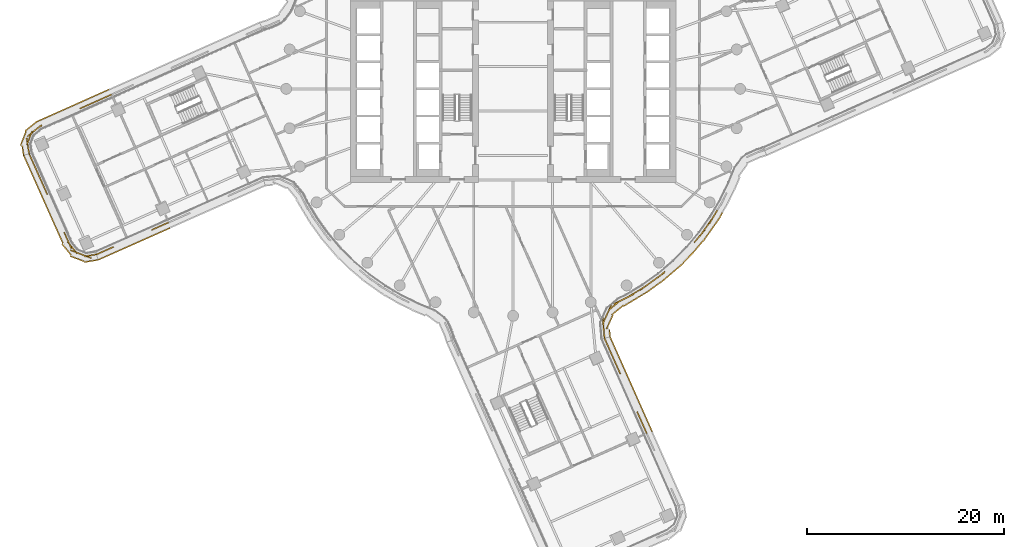
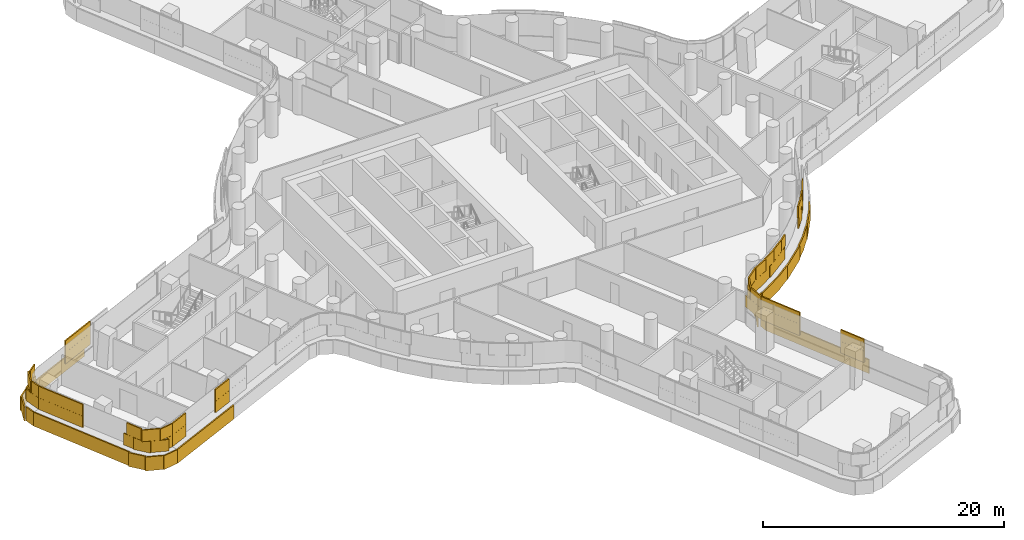
# One storey, part 29 of 35: 5 coverings.
"""IFC4 building model written with IfcOpenShell, lengths in metres."""

import ifcopenshell
import ifcopenshell.guid

model = None  # the IFC model being written
_history = None  # IfcOwnerHistory: only IFC2X3 demands one
_inside = {}  # id of a spatial element -> (the spatial element, [elements in it])
_under = {}  # id of a project, library or spatial element -> (it, [spatial elements below it])
_declared = {}  # id of a project -> (the project, [libraries it declares])
_typed = {}  # id of a type object -> (the type object, [elements of that type])
_made_of = {}  # id of a material, layer set ... -> (it, [elements and type objects made of it])


def new_model(schema):
    """Start an empty IFC model of exactly this schema.

    Asked for "IFC4X3", IfcOpenShell would pick the latest addendum, in which some entities
    have other attributes; the version numbers below select the first issue.
    IFC2X3 requires an IfcOwnerHistory on every rooted entity: one is made here for all.
    """
    global model, _history
    if schema == "IFC4X3":
        model = ifcopenshell.file(schema_version=(4, 3, 0, 0))
    else:
        model = ifcopenshell.file(schema=schema)
    _inside.clear()
    _under.clear()
    _declared.clear()
    _typed.clear()
    _made_of.clear()
    _history = None
    if model.schema == "IFC2X3":
        org = make("IfcOrganization", Name="unknown")
        user = make(
            "IfcPersonAndOrganization",
            ThePerson=make("IfcPerson", FamilyName="unknown"),
            TheOrganization=org,
        )
        app = make(
            "IfcApplication",
            ApplicationDeveloper=org,
            Version="unknown",
            ApplicationFullName="unknown",
            ApplicationIdentifier="unknown",
        )
        _history = make(
            "IfcOwnerHistory",
            OwningUser=user,
            OwningApplication=app,
            ChangeAction="ADDED",
            CreationDate=0,
        )
    return model


def make(cls, **values):
    """One entity of the class cls with the attributes given. An attribute that is None is left unset."""
    return model.create_entity(
        cls, **{name: value for name, value in values.items() if value is not None}
    )


def rooted(cls, **values):
    """An entity with a GlobalId (a new one), such as an element, a storey or a relation."""
    return make(cls, GlobalId=ifcopenshell.guid.new(), OwnerHistory=_history, **values)


def si_unit(unit_type, name, prefix=None):
    """IfcSIUnit, for example si_unit("LENGTHUNIT", "METRE", prefix="MILLI")."""
    return make("IfcSIUnit", UnitType=unit_type, Prefix=prefix, Name=name)


def assignment(units):
    """IfcUnitAssignment: the units of a project."""
    return None if units is None else make("IfcUnitAssignment", Units=units)


def point(xyz):
    """IfcCartesianPoint."""
    return None if xyz is None else make("IfcCartesianPoint", Coordinates=xyz)


def direction(xyz):
    """IfcDirection."""
    return None if xyz is None else make("IfcDirection", DirectionRatios=xyz)


def frame(location, z_axis=None, x_axis=None):
    """IfcAxis2Placement3D, a coordinate frame: its origin and axes. An axis left out is left unset."""
    return make(
        "IfcAxis2Placement3D",
        Location=point(location),
        Axis=direction(z_axis),
        RefDirection=direction(x_axis),
    )


def frame_2d(location, x_axis=None):
    """IfcAxis2Placement2D, a coordinate frame in the plane: its origin and x axis."""
    return make(
        "IfcAxis2Placement2D", Location=point(location), RefDirection=direction(x_axis)
    )


def origin():
    """The frame at (0, 0, 0) with its axes left unset."""
    return frame((0.0, 0.0, 0.0))


def origin_2d():
    """The frame at (0, 0) in the plane with its x axis left unset."""
    return frame_2d((0.0, 0.0))


def place(relative_to, where):
    """IfcLocalPlacement: puts the frame where relative to a parent placement (None: the world)."""
    return make(
        "IfcLocalPlacement", PlacementRelTo=relative_to, RelativePlacement=where
    )


def context(
    kind, dimensions, precision=None, world=None, true_north=None, identifier=None
):
    """IfcGeometricRepresentationContext, for example the 3D "Model" context."""
    return make(
        "IfcGeometricRepresentationContext",
        ContextIdentifier=identifier,
        ContextType=kind,
        CoordinateSpaceDimension=dimensions,
        Precision=precision,
        WorldCoordinateSystem=world,
        TrueNorth=true_north,
    )


def subcontext(parent, identifier, kind, view, scale=None):
    """IfcGeometricRepresentationSubContext, for example "Body" below "Model"."""
    return make(
        "IfcGeometricRepresentationSubContext",
        ContextIdentifier=identifier,
        ContextType=kind,
        ParentContext=parent,
        TargetScale=scale,
        TargetView=view,
    )


def project(units=None, contexts=None):
    """IfcProject with its units and contexts."""
    return rooted(
        "IfcProject",
        Name="project",
        RepresentationContexts=contexts,
        UnitsInContext=assignment(units),
    )


def spatial(cls, under=None, at=None, **own):
    """A site, building, storey or space (cls), placed at a placement, below another one or the project."""
    s = rooted(cls, ObjectPlacement=at, **own)
    if under is not None:
        _under.setdefault(under.id(), (under, []))[1].append(s)
    return s


def profile(cls, at=None, kind="AREA", **sizes):
    """A parametric profile (cls). Its sizes go by their IFC names, for example OverallWidth=200.0."""
    return make(cls, ProfileType=kind, Position=at, **sizes)


def rectangle(**sizes):
    """IfcRectangleProfileDef."""
    return profile("IfcRectangleProfileDef", **sizes)


def extrude(swept, where, along, depth):
    """IfcExtrudedAreaSolid: the profile swept, set in the frame where, extruded along a direction by depth."""
    return make(
        "IfcExtrudedAreaSolid",
        SweptArea=swept,
        Position=where,
        ExtrudedDirection=direction(along),
        Depth=depth,
    )


def shape(context_of_items, identifier, shape_type, items):
    """IfcShapeRepresentation: the items that make up one representation, for example the "Body"."""
    return make(
        "IfcShapeRepresentation",
        ContextOfItems=context_of_items,
        RepresentationIdentifier=identifier,
        RepresentationType=shape_type,
        Items=items,
    )


def material(Name=None, Category=None):
    """IfcMaterial."""
    return make("IfcMaterial", Name=Name, Category=Category)


def layer(
    of_material, thickness, ventilated=None, Name=None, Category=None, Priority=None
):
    """IfcMaterialLayer: one layer of a wall or slab, of a material (None: an air gap)."""
    return make(
        "IfcMaterialLayer",
        Material=of_material,
        LayerThickness=thickness,
        IsVentilated=ventilated,
        Name=Name,
        Category=Category,
        Priority=Priority,
    )


def layer_set(layers, Name=None):
    """IfcMaterialLayerSet."""
    return make("IfcMaterialLayerSet", MaterialLayers=layers, LayerSetName=Name)


def made_of(thing, what):
    """Note that an element or type object is made of a material, layer set ...; save() writes the relation."""
    if what is not None:
        _made_of.setdefault(what.id(), (what, []))[1].append(thing)
    return thing


def type_object(cls, material=None, **own):
    """A type object (cls), such as IfcWallType, which elements share."""
    return made_of(rooted(cls, **own), material)


def element(
    cls,
    number,
    at=None,
    inside=None,
    cuts=None,
    type_object=None,
    material=None,
    context=None,
    identifier="Body",
    shape_type=None,
    held_by="IfcProductDefinitionShape",
    body=None,
    shapes=None,
    **own,
):
    """One element of the class cls, such as IfcWall. Its Tag is "e" and its number.

    at: its placement. inside: the storey or other place that contains it. cuts: it is an
    opening in that element (IfcRelVoidsElement). A single representation is given by context,
    identifier, shape_type and body (its items); several are given by shapes. held_by: the class
    of the entity that holds the representations. save() writes the other relations.
    """
    e = rooted(cls, Tag="e%d" % number, ObjectPlacement=at, **own)
    if body is not None:
        shapes = [shape(context, identifier, shape_type, body)]
    if shapes is not None:
        e.Representation = make(held_by, Representations=shapes)
    if inside is not None:
        _inside.setdefault(inside.id(), (inside, []))[1].append(e)
    if cuts is not None:
        rooted(
            "IfcRelVoidsElement", RelatingBuildingElement=cuts, RelatedOpeningElement=e
        )
    if type_object is not None:
        _typed.setdefault(type_object.id(), (type_object, []))[1].append(e)
    return made_of(e, material)


def aggregate(whole, parts):
    """IfcRelAggregates: a whole, such as a stair, and the parts it consists of."""
    return rooted("IfcRelAggregates", RelatingObject=whole, RelatedObjects=parts)


def save(model, path):
    """Write the relations noted so far, then the file.

    IfcRelAggregates (storeys below a building ...), IfcRelContainedInSpatialStructure (elements
    in a storey), IfcRelDefinesByType, IfcRelAssociatesMaterial and IfcRelDeclares: one each for
    every whole, place, type object, material and project.
    """
    for whole, parts in _under.values():
        aggregate(whole, parts)
    for where, things in _inside.values():
        rooted(
            "IfcRelContainedInSpatialStructure",
            RelatedElements=things,
            RelatingStructure=where,
        )
    for kind, things in _typed.values():
        rooted("IfcRelDefinesByType", RelatedObjects=things, RelatingType=kind)
    for what, things in _made_of.values():
        rooted("IfcRelAssociatesMaterial", RelatedObjects=things, RelatingMaterial=what)
    for by, libraries in _declared.values():
        rooted("IfcRelDeclares", RelatingContext=by, RelatedDefinitions=libraries)
    model.write(path)


model = new_model("IFC4")

# Units and contexts
model_context = context("Model", 3, precision=1e-05, world=origin(), true_north=direction((0.0, 1.0)))
body_context = subcontext(model_context, "Body", "Model", "MODEL_VIEW")
ifc_project = project(units=[si_unit("LENGTHUNIT", "METRE"), si_unit("AREAUNIT", "SQUARE_METRE"), si_unit("VOLUMEUNIT", "CUBIC_METRE"), si_unit("PLANEANGLEUNIT", "RADIAN"), si_unit("MASSUNIT", "GRAM", prefix="KILO")], contexts=[model_context])

# Site, building, storey
site_placement = place(None, origin())
site = spatial("IfcSite", under=ifc_project, at=site_placement, CompositionType="ELEMENT")
building_placement = place(site_placement, origin())
building = spatial("IfcBuilding", under=site, at=building_placement, Name="Tamarind Cross Interchange Tower", CompositionType="ELEMENT")
storey_placement = place(building_placement, frame((0.0, 0.0, 121.0)))
storey = spatial("IfcBuildingStorey", under=building, at=storey_placement, Name="L29", CompositionType="ELEMENT", Elevation=121.0)

# Coverings
ifc_material = material(Name="Terracotta", Category="masonry")
ifc_layer = layer(ifc_material, 0.1201171875)
ifc_layer_set = layer_set([ifc_layer], Name="Terracotta")
covering_type = type_object("IfcCoveringType", Name="Terracotta baguette screen unit", PredefinedType="MOLDING", material=ifc_layer_set)
covering_1_placement = place(storey_placement, origin())
element("IfcCovering", 1, at=covering_1_placement, inside=storey, type_object=covering_type, Name="SCR-L29-00-00", PredefinedType="MOLDING", context=body_context, shape_type="SweptSolid", body=[
    extrude(rectangle(XDim=0.760009765625, YDim=0.1201171875, at=origin_2d()), frame((-48.896484375, -6.915283203125, 1.404052734375), z_axis=(0.0, 0.0, 1.0), x_axis=(0.407221294835, -0.913329522698, 0.0)), (0.0, 0.0, 1.0), 1.1669921875),
    extrude(rectangle(XDim=1.52001953125, YDim=0.1201171875, at=origin_2d()), frame((-48.4384765625, -7.94287109375, 1.404052734375), z_axis=(0.0, 0.0, 1.0), x_axis=(0.407221294835, -0.913329522698, 0.0)), (0.0, 0.0, 1.0), 1.1669921875),
    extrude(rectangle(XDim=1.52001953125, YDim=0.1201171875, at=origin_2d()), frame((-47.82763671875, -9.312744140625, 1.404052734375), z_axis=(0.0, 0.0, 1.0), x_axis=(0.407221294835, -0.913329522698, 0.0)), (0.0, 0.0, 1.0), 1.1669921875),
    extrude(rectangle(XDim=0.784912109375, YDim=0.1201171875, at=origin_2d()), frame((-47.364501953125, -10.3515625, 1.404052734375), z_axis=(0.0, 0.0, 1.0), x_axis=(0.407221294835, -0.913329522698, 0.0)), (0.0, 0.0, 1.0), 1.1669921875),
    extrude(rectangle(XDim=1.03515625, YDim=0.1201171875, at=origin_2d()), frame((-45.28759765625, -15.009765625, 1.404052734375), z_axis=(0.0, 0.0, 1.0), x_axis=(0.407221294835, -0.913329522698, 0.0)), (0.0, 0.0, 1.0), 1.1669921875),
    extrude(rectangle(XDim=1.52001953125, YDim=0.1201171875, at=origin_2d()), frame((-44.66748046875, -16.097900390625, 1.404052734375), z_axis=(0.0, 0.0, 1.0), x_axis=(0.629732640625, -0.776811947212, 0.0)), (0.0, 0.0, 1.0), 1.1669921875),
    extrude(rectangle(XDim=1.52001953125, YDim=0.1201171875, at=origin_2d()), frame((-43.44775390625, -16.8837890625, 1.404052734375), z_axis=(0.0, 0.0, 1.0), x_axis=(0.93377043798, -0.357872559936, 0.0)), (0.0, 0.0, 1.0), 1.1669921875),
    extrude(rectangle(XDim=0.509521484375, YDim=0.1201171875, at=origin_2d()), frame((-42.469970703125, -16.81884765625, 1.404052734375), z_axis=(0.0, 0.0, 1.0), x_axis=(0.987605200561, 0.156958490768, 0.0)), (0.0, 0.0, 1.0), 1.1669921875),
    extrude(rectangle(XDim=1.510009765625, YDim=0.1201171875, at=origin_2d()), frame((-48.743896484375, -7.2578125, 2.5791015625), z_axis=(0.0, 0.0, 1.0), x_axis=(0.407221294835, -0.913329522698, 0.0)), (0.0, 0.0, 1.0), 1.1669921875),
    extrude(rectangle(XDim=1.52001953125, YDim=0.1201171875, at=origin_2d()), frame((-48.133056640625, -8.6279296875, 2.5791015625), z_axis=(0.0, 0.0, 1.0), x_axis=(0.407221294835, -0.913329522698, 0.0)), (0.0, 0.0, 1.0), 1.1669921875),
    extrude(rectangle(XDim=1.52001953125, YDim=0.1201171875, at=origin_2d()), frame((-47.522216796875, -9.997802734375, 2.5791015625), z_axis=(0.0, 0.0, 1.0), x_axis=(0.407221294835, -0.913329522698, 0.0)), (0.0, 0.0, 1.0), 1.1669921875),
    extrude(rectangle(XDim=1.52001953125, YDim=0.1201171875, at=origin_2d()), frame((-45.078857421875, -15.477783203125, 2.5791015625), z_axis=(0.0, 0.0, 1.0), x_axis=(0.407221294835, -0.913329522698, 0.0)), (0.0, 0.0, 1.0), 1.1669921875),
    extrude(rectangle(XDim=1.52001953125, YDim=0.1201171875, at=origin_2d()), frame((-44.14794921875, -16.615478515625, 2.5791015625), z_axis=(0.0, 0.0, 1.0), x_axis=(0.93377043798, -0.357872559936, 0.0)), (0.0, 0.0, 1.0), 1.1669921875),
    extrude(rectangle(XDim=1.259521484375, YDim=0.1201171875, at=origin_2d()), frame((-42.84033203125, -16.877685546875, 2.5791015625), z_axis=(0.0, 0.0, 1.0), x_axis=(0.987605200561, 0.156958490768, 0.0)), (0.0, 0.0, 1.0), 1.1669921875),
    extrude(rectangle(XDim=0.760009765625, YDim=0.1201171875, at=origin_2d()), frame((-49.449462890625, -7.084716796875, 0.00390625), z_axis=(0.0, 0.0, 1.0), x_axis=(0.407221294835, -0.913329522698, 0.0)), (0.0, 0.0, 1.0), 1.39208984375),
    extrude(rectangle(XDim=1.52001953125, YDim=0.1201171875, at=origin_2d()), frame((-48.993408203125, -8.107666015625, 0.00390625), z_axis=(0.0, 0.0, 1.0), x_axis=(0.407221294835, -0.913329522698, 0.0)), (0.0, 0.0, 1.0), 1.39208984375),
    extrude(rectangle(XDim=1.52001953125, YDim=0.1201171875, at=origin_2d()), frame((-48.382568359375, -9.4775390625, 0.00390625), z_axis=(0.0, 0.0, 1.0), x_axis=(0.407221294835, -0.913329522698, 0.0)), (0.0, 0.0, 1.0), 1.39208984375),
    extrude(rectangle(XDim=1.52001953125, YDim=0.1201171875, at=origin_2d()), frame((-47.771728515625, -10.84765625, 0.00390625), z_axis=(0.0, 0.0, 1.0), x_axis=(0.407221294835, -0.913329522698, 0.0)), (0.0, 0.0, 1.0), 1.39208984375),
    extrude(rectangle(XDim=1.52001953125, YDim=0.1201171875, at=origin_2d()), frame((-47.160888671875, -12.217529296875, 0.00390625), z_axis=(0.0, 0.0, 1.0), x_axis=(0.407221294835, -0.913329522698, 0.0)), (0.0, 0.0, 1.0), 1.39208984375),
    extrude(rectangle(XDim=1.52001953125, YDim=0.1201171875, at=origin_2d()), frame((-46.550048828125, -13.587646484375, 0.00390625), z_axis=(0.0, 0.0, 1.0), x_axis=(0.407221294835, -0.913329522698, 0.0)), (0.0, 0.0, 1.0), 1.39208984375),
    extrude(rectangle(XDim=1.52001953125, YDim=0.1201171875, at=origin_2d()), frame((-45.939208984375, -14.95751953125, 0.00390625), z_axis=(0.0, 0.0, 1.0), x_axis=(0.407221294835, -0.913329522698, 0.0)), (0.0, 0.0, 1.0), 1.39208984375),
    extrude(rectangle(XDim=1.52001953125, YDim=0.1201171875, at=origin_2d()), frame((-45.256103515625, -16.283203125, 0.00390625), z_axis=(0.0, 0.0, 1.0), x_axis=(0.629732640625, -0.776811947212, 0.0)), (0.0, 0.0, 1.0), 1.39208984375),
    extrude(rectangle(XDim=1.52001953125, YDim=0.1201171875, at=origin_2d()), frame((-44.152099609375, -17.228515625, 0.00390625), z_axis=(0.0, 0.0, 1.0), x_axis=(0.93377043798, -0.357872559936, 0.0)), (0.0, 0.0, 1.0), 1.39208984375),
    extrude(rectangle(XDim=1.426513671875, YDim=0.1201171875, at=origin_2d()), frame((-42.763427734375, -17.446533203125, 0.00390625), z_axis=(0.0, 0.0, 1.0), x_axis=(0.987605200561, 0.156958490768, 0.0)), (0.0, 0.0, 1.0), 1.39208984375),
])
covering_2_placement = place(storey_placement, origin())
element("IfcCovering", 2, at=covering_2_placement, inside=storey, type_object=covering_type, Name="SCR-L29-01-00", PredefinedType="MOLDING", context=body_context, shape_type="SweptSolid", body=[
    extrude(rectangle(XDim=0.760009765625, YDim=0.1201171875, at=origin_2d()), frame((-41.88037109375, -16.62744140625, 1.404052734375), z_axis=(0.0, 0.0, 1.0), x_axis=(0.914040185221, 0.40562364305, 0.0)), (0.0, 0.0, 1.0), 1.1669921875),
    extrude(rectangle(XDim=1.155029296875, YDim=0.1201171875, at=origin_2d()), frame((-41.014404296875, -16.2431640625, 1.404052734375), z_axis=(0.0, 0.0, 1.0), x_axis=(0.914040185221, 0.40562364305, 0.0)), (0.0, 0.0, 1.0), 1.1669921875),
    extrude(rectangle(XDim=0.6650390625, YDim=0.1201171875, at=origin_2d()), frame((-36.352783203125, -14.174560546875, 1.404052734375), z_axis=(0.0, 0.0, 1.0), x_axis=(0.914040185221, 0.40562364305, 0.0)), (0.0, 0.0, 1.0), 1.1669921875),
    extrude(rectangle(XDim=1.25, YDim=0.1201171875, at=origin_2d()), frame((-35.486572265625, -13.7900390625, 1.404052734375), z_axis=(0.0, 0.0, 1.0), x_axis=(0.914040185221, 0.40562364305, 0.0)), (0.0, 0.0, 1.0), 1.1669921875),
    extrude(rectangle(XDim=1.510009765625, YDim=0.1201171875, at=origin_2d()), frame((-41.53759765625, -16.475341796875, 2.5791015625), z_axis=(0.0, 0.0, 1.0), x_axis=(0.914040185221, 0.40562364305, 0.0)), (0.0, 0.0, 1.0), 1.1669921875),
    extrude(rectangle(XDim=0.405029296875, YDim=0.1201171875, at=origin_2d()), frame((-40.671630859375, -16.091064453125, 2.5791015625), z_axis=(0.0, 0.0, 1.0), x_axis=(0.914040185221, 0.40562364305, 0.0)), (0.0, 0.0, 1.0), 1.1669921875),
    extrude(rectangle(XDim=1.4150390625, YDim=0.1201171875, at=origin_2d()), frame((-36.010009765625, -14.0224609375, 2.5791015625), z_axis=(0.0, 0.0, 1.0), x_axis=(0.914040185221, 0.40562364305, 0.0)), (0.0, 0.0, 1.0), 1.1669921875),
    extrude(rectangle(XDim=0.5, YDim=0.1201171875, at=origin_2d()), frame((-35.143798828125, -13.637939453125, 2.5791015625), z_axis=(0.0, 0.0, 1.0), x_axis=(0.914040185221, 0.40562364305, 0.0)), (0.0, 0.0, 1.0), 1.1669921875),
    extrude(rectangle(XDim=0.760009765625, YDim=0.1201171875, at=origin_2d()), frame((-41.711669921875, -17.1806640625, 0.00390625), z_axis=(0.0, 0.0, 1.0), x_axis=(0.914040185221, 0.40562364305, 0.0)), (0.0, 0.0, 1.0), 1.39208984375),
    extrude(rectangle(XDim=1.52001953125, YDim=0.1201171875, at=origin_2d()), frame((-40.68798828125, -16.726318359375, 0.00390625), z_axis=(0.0, 0.0, 1.0), x_axis=(0.914040185221, 0.40562364305, 0.0)), (0.0, 0.0, 1.0), 1.39208984375),
    extrude(rectangle(XDim=1.52001953125, YDim=0.1201171875, at=origin_2d()), frame((-39.31689453125, -16.117919921875, 0.00390625), z_axis=(0.0, 0.0, 1.0), x_axis=(0.914040185221, 0.40562364305, 0.0)), (0.0, 0.0, 1.0), 1.39208984375),
    extrude(rectangle(XDim=1.52001953125, YDim=0.1201171875, at=origin_2d()), frame((-37.94580078125, -15.50927734375, 0.00390625), z_axis=(0.0, 0.0, 1.0), x_axis=(0.914040185221, 0.40562364305, 0.0)), (0.0, 0.0, 1.0), 1.39208984375),
    extrude(rectangle(XDim=1.52001953125, YDim=0.1201171875, at=origin_2d()), frame((-36.57470703125, -14.90087890625, 0.00390625), z_axis=(0.0, 0.0, 1.0), x_axis=(0.914040185221, 0.40562364305, 0.0)), (0.0, 0.0, 1.0), 1.39208984375),
    extrude(rectangle(XDim=1.240966796875, YDim=0.1201171875, at=origin_2d()), frame((-35.3310546875, -14.34912109375, 0.00390625), z_axis=(0.0, 0.0, 1.0), x_axis=(0.914040185221, 0.40562364305, 0.0)), (0.0, 0.0, 1.0), 1.39208984375),
])
covering_3_placement = place(storey_placement, origin())
element("IfcCovering", 3, at=covering_3_placement, inside=storey, type_object=covering_type, Name="SCR-L29-05-01", PredefinedType="MOLDING", context=body_context, shape_type="SweptSolid", body=[
    extrude(rectangle(XDim=0.27001953125, YDim=0.1201171875, at=origin_2d()), frame((13.48583984375, -34.801025390625, 1.404052734375), z_axis=(0.0, 0.0, 1.0), x_axis=(-0.40562364305, 0.914040185221, 0.0)), (0.0, 0.0, 1.0), 1.1669921875),
    extrude(rectangle(XDim=1.52001953125, YDim=0.1201171875, at=origin_2d()), frame((13.12890625, -33.996826171875, 1.404052734375), z_axis=(0.0, 0.0, 1.0), x_axis=(-0.40562364305, 0.914040185221, 0.0)), (0.0, 0.0, 1.0), 1.1669921875),
    extrude(rectangle(XDim=0.649169921875, YDim=0.1201171875, at=origin_2d()), frame((12.695068359375, -33.01904296875, 1.404052734375), z_axis=(0.0, 0.0, 1.0), x_axis=(-0.40562364305, 0.914040185221, 0.0)), (0.0, 0.0, 1.0), 1.1669921875),
    extrude(rectangle(XDim=1.170654296875, YDim=0.1201171875, at=origin_2d()), frame((10.62646484375, -28.357421875, 1.404052734375), z_axis=(0.0, 0.0, 1.0), x_axis=(-0.40562364305, 0.914040185221, 0.0)), (0.0, 0.0, 1.0), 1.1669921875),
    extrude(rectangle(XDim=1.52001953125, YDim=0.1201171875, at=origin_2d()), frame((10.086669921875, -27.1416015625, 1.404052734375), z_axis=(0.0, 0.0, 1.0), x_axis=(-0.40562364305, 0.914040185221, 0.0)), (0.0, 0.0, 1.0), 1.1669921875),
    extrude(rectangle(XDim=1.305908203125, YDim=0.1201171875, at=origin_2d()), frame((9.519775390625, -25.86376953125, 1.404052734375), z_axis=(0.0, 0.0, 1.0), x_axis=(-0.40562364305, 0.914040185221, 0.0)), (0.0, 0.0, 1.0), 1.1669921875),
    extrude(rectangle(XDim=1.02001953125, YDim=0.1201171875, at=origin_2d()), frame((13.333740234375, -34.458251953125, 2.5791015625), z_axis=(0.0, 0.0, 1.0), x_axis=(-0.40562364305, 0.914040185221, 0.0)), (0.0, 0.0, 1.0), 1.1669921875),
    extrude(rectangle(XDim=1.399169921875, YDim=0.1201171875, at=origin_2d()), frame((12.84716796875, -33.36181640625, 2.5791015625), z_axis=(0.0, 0.0, 1.0), x_axis=(-0.40562364305, 0.914040185221, 0.0)), (0.0, 0.0, 1.0), 1.1669921875),
    extrude(rectangle(XDim=0.420654296875, YDim=0.1201171875, at=origin_2d()), frame((10.778564453125, -28.7001953125, 2.5791015625), z_axis=(0.0, 0.0, 1.0), x_axis=(-0.40562364305, 0.914040185221, 0.0)), (0.0, 0.0, 1.0), 1.1669921875),
    extrude(rectangle(XDim=1.52001953125, YDim=0.1201171875, at=origin_2d()), frame((10.39111328125, -27.8271484375, 2.5791015625), z_axis=(0.0, 0.0, 1.0), x_axis=(-0.40562364305, 0.914040185221, 0.0)), (0.0, 0.0, 1.0), 1.1669921875),
    extrude(rectangle(XDim=1.52001953125, YDim=0.1201171875, at=origin_2d()), frame((9.782470703125, -26.4560546875, 2.5791015625), z_axis=(0.0, 0.0, 1.0), x_axis=(-0.40562364305, 0.914040185221, 0.0)), (0.0, 0.0, 1.0), 1.1669921875),
    extrude(rectangle(XDim=0.555908203125, YDim=0.1201171875, at=origin_2d()), frame((9.36767578125, -25.52099609375, 2.5791015625), z_axis=(0.0, 0.0, 1.0), x_axis=(-0.40562364305, 0.914040185221, 0.0)), (0.0, 0.0, 1.0), 1.1669921875),
    extrude(rectangle(XDim=0.279052734375, YDim=0.1201171875, at=origin_2d()), frame((14.040771484375, -34.636474609375, 0.00390625), z_axis=(0.0, 0.0, 1.0), x_axis=(-0.40562364305, 0.914040185221, 0.0)), (0.0, 0.0, 1.0), 1.39208984375),
    extrude(rectangle(XDim=1.52001953125, YDim=0.1201171875, at=origin_2d()), frame((13.68408203125, -33.83251953125, 0.00390625), z_axis=(0.0, 0.0, 1.0), x_axis=(-0.40562364305, 0.914040185221, 0.0)), (0.0, 0.0, 1.0), 1.39208984375),
    extrude(rectangle(XDim=1.52001953125, YDim=0.1201171875, at=origin_2d()), frame((13.07568359375, -32.46142578125, 0.00390625), z_axis=(0.0, 0.0, 1.0), x_axis=(-0.40562364305, 0.914040185221, 0.0)), (0.0, 0.0, 1.0), 1.39208984375),
    extrude(rectangle(XDim=1.52001953125, YDim=0.1201171875, at=origin_2d()), frame((12.46728515625, -31.090576171875, 0.00390625), z_axis=(0.0, 0.0, 1.0), x_axis=(-0.40562364305, 0.914040185221, 0.0)), (0.0, 0.0, 1.0), 1.39208984375),
    extrude(rectangle(XDim=1.52001953125, YDim=0.1201171875, at=origin_2d()), frame((11.85888671875, -29.719482421875, 0.00390625), z_axis=(0.0, 0.0, 1.0), x_axis=(-0.40562364305, 0.914040185221, 0.0)), (0.0, 0.0, 1.0), 1.39208984375),
    extrude(rectangle(XDim=1.52001953125, YDim=0.1201171875, at=origin_2d()), frame((11.250244140625, -28.348388671875, 0.00390625), z_axis=(0.0, 0.0, 1.0), x_axis=(-0.40562364305, 0.914040185221, 0.0)), (0.0, 0.0, 1.0), 1.39208984375),
    extrude(rectangle(XDim=1.52001953125, YDim=0.1201171875, at=origin_2d()), frame((10.641845703125, -26.977294921875, 0.00390625), z_axis=(0.0, 0.0, 1.0), x_axis=(-0.40562364305, 0.914040185221, 0.0)), (0.0, 0.0, 1.0), 1.39208984375),
    extrude(rectangle(XDim=1.28466796875, YDim=0.1201171875, at=origin_2d()), frame((10.0810546875, -25.713623046875, 0.00390625), z_axis=(0.0, 0.0, 1.0), x_axis=(-0.40562364305, 0.914040185221, 0.0)), (0.0, 0.0, 1.0), 1.39208984375),
])
covering_4_placement = place(storey_placement, origin())
element("IfcCovering", 4, at=covering_4_placement, inside=storey, type_object=covering_type, Name="SCR-L29-06-00", PredefinedType="MOLDING", context=body_context, shape_type="SweptSolid", body=[
    extrude(rectangle(XDim=0.760009765625, YDim=0.1201171875, at=origin_2d()), frame((9.224853515625, -24.89794921875, 1.404052734375), z_axis=(0.0, 0.0, 1.0), x_axis=(-0.085508687093, 0.996337424988, 0.0)), (0.0, 0.0, 1.0), 1.1669921875),
    extrude(rectangle(XDim=1.52001953125, YDim=0.1201171875, at=origin_2d()), frame((9.128662109375, -23.777099609375, 1.404052734375), z_axis=(0.0, 0.0, 1.0), x_axis=(-0.085508687093, 0.996337424988, 0.0)), (0.0, 0.0, 1.0), 1.1669921875),
    extrude(rectangle(XDim=1.52001953125, YDim=0.1201171875, at=origin_2d()), frame((9.717041015625, -22.408203125, 1.404052734375), z_axis=(0.0, 0.0, 1.0), x_axis=(0.419560569226, 0.907727342736, 0.0)), (0.0, 0.0, 1.0), 1.1669921875),
    extrude(rectangle(XDim=1.52001953125, YDim=0.1201171875, at=origin_2d()), frame((10.881103515625, -21.470947265625, 1.404052734375), z_axis=(0.0, 0.0, 1.0), x_axis=(0.894076863218, 0.447913566058, 0.0)), (0.0, 0.0, 1.0), 1.1669921875),
    extrude(rectangle(XDim=1.52001953125, YDim=0.1201171875, at=origin_2d()), frame((12.1943359375, -20.74853515625, 1.404052734375), z_axis=(0.0, 0.0, 1.0), x_axis=(0.856843065292, 0.515577308909, 0.0)), (0.0, 0.0, 1.0), 1.1669921875),
    extrude(rectangle(XDim=1.52001953125, YDim=0.1201171875, at=origin_2d()), frame((13.468017578125, -19.95751953125, 1.404052734375), z_axis=(0.0, 0.0, 1.0), x_axis=(0.811340475102, 0.584573890505, 0.0)), (0.0, 0.0, 1.0), 1.1669921875),
    extrude(rectangle(XDim=1.52001953125, YDim=0.1201171875, at=origin_2d()), frame((14.68505859375, -19.080810546875, 1.404052734375), z_axis=(0.0, 0.0, 1.0), x_axis=(0.811340475102, 0.584573890505, 0.0)), (0.0, 0.0, 1.0), 1.1669921875),
    extrude(rectangle(XDim=1.52001953125, YDim=0.1201171875, at=origin_2d()), frame((18.937744140625, -14.87060546875, 1.404052734375), z_axis=(0.0, 0.0, 1.0), x_axis=(0.643009266048, 0.765858396687, 0.0)), (0.0, 0.0, 1.0), 1.1669921875),
    extrude(rectangle(XDim=1.52001953125, YDim=0.1201171875, at=origin_2d()), frame((19.817626953125, -13.656494140625, 1.404052734375), z_axis=(0.0, 0.0, 1.0), x_axis=(0.577568978284, 0.816341886298, 0.0)), (0.0, 0.0, 1.0), 1.1669921875),
    extrude(rectangle(XDim=0.912353515625, YDim=0.1201171875, at=origin_2d()), frame((20.476318359375, -12.6533203125, 1.404052734375), z_axis=(0.0, 0.0, 1.0), x_axis=(0.508183308752, 0.861248933065, 0.0)), (0.0, 0.0, 1.0), 1.1669921875),
    extrude(rectangle(XDim=1.510009765625, YDim=0.1201171875, at=origin_2d()), frame((9.19287109375, -24.524169921875, 2.5791015625), z_axis=(0.0, 0.0, 1.0), x_axis=(-0.085508687093, 0.996337424988, 0.0)), (0.0, 0.0, 1.0), 1.1669921875),
    extrude(rectangle(XDim=1.52001953125, YDim=0.1201171875, at=origin_2d()), frame((9.40234375, -23.089111328125, 2.5791015625), z_axis=(0.0, 0.0, 1.0), x_axis=(0.419560569226, 0.907727342736, 0.0)), (0.0, 0.0, 1.0), 1.1669921875),
    extrude(rectangle(XDim=1.52001953125, YDim=0.1201171875, at=origin_2d()), frame((10.287109375, -21.9248046875, 2.5791015625), z_axis=(0.0, 0.0, 1.0), x_axis=(0.77301630352, 0.634386155659, 0.0)), (0.0, 0.0, 1.0), 1.1669921875),
    extrude(rectangle(XDim=1.52001953125, YDim=0.1201171875, at=origin_2d()), frame((11.5517578125, -21.135009765625, 2.5791015625), z_axis=(0.0, 0.0, 1.0), x_axis=(0.894076863218, 0.447913566058, 0.0)), (0.0, 0.0, 1.0), 1.1669921875),
    extrude(rectangle(XDim=1.52001953125, YDim=0.1201171875, at=origin_2d()), frame((12.837158203125, -20.36181640625, 2.5791015625), z_axis=(0.0, 0.0, 1.0), x_axis=(0.856843065292, 0.515577308909, 0.0)), (0.0, 0.0, 1.0), 1.1669921875),
    extrude(rectangle(XDim=1.52001953125, YDim=0.1201171875, at=origin_2d()), frame((14.076416015625, -19.51904296875, 2.5791015625), z_axis=(0.0, 0.0, 1.0), x_axis=(0.811340475102, 0.584573890505, 0.0)), (0.0, 0.0, 1.0), 1.1669921875),
    extrude(rectangle(XDim=0.91552734375, YDim=0.1201171875, at=origin_2d()), frame((15.041259765625, -18.802001953125, 2.5791015625), z_axis=(0.0, 0.0, 1.0), x_axis=(0.760295606781, 0.64957723968, 0.0)), (0.0, 0.0, 1.0), 1.1669921875),
    extrude(rectangle(XDim=0.904541015625, YDim=0.1201171875, at=origin_2d()), frame((18.650146484375, -15.213134765625, 2.5791015625), z_axis=(0.0, 0.0, 1.0), x_axis=(0.643009266048, 0.765858396687, 0.0)), (0.0, 0.0, 1.0), 1.1669921875),
    extrude(rectangle(XDim=1.52001953125, YDim=0.1201171875, at=origin_2d()), frame((19.38427734375, -14.268798828125, 2.5791015625), z_axis=(0.0, 0.0, 1.0), x_axis=(0.577568978284, 0.816341886298, 0.0)), (0.0, 0.0, 1.0), 1.1669921875),
    extrude(rectangle(XDim=1.52001953125, YDim=0.1201171875, at=origin_2d()), frame((20.2470703125, -13.0419921875, 2.5791015625), z_axis=(0.0, 0.0, 1.0), x_axis=(0.508183308752, 0.861248933065, 0.0)), (0.0, 0.0, 1.0), 1.1669921875),
    extrude(rectangle(XDim=0.162353515625, YDim=0.1201171875, at=origin_2d()), frame((20.6669921875, -12.330322265625, 2.5791015625), z_axis=(0.0, 0.0, 1.0), x_axis=(0.508183308752, 0.861248933065, 0.0)), (0.0, 0.0, 1.0), 1.1669921875),
    extrude(rectangle(XDim=0.760009765625, YDim=0.1201171875, at=origin_2d()), frame((9.7880859375, -24.748046875, 0.00390625), z_axis=(0.0, 0.0, 1.0), x_axis=(-0.085508687093, 0.996337424988, 0.0)), (0.0, 0.0, 1.0), 1.39208984375),
    extrude(rectangle(XDim=1.52001953125, YDim=0.1201171875, at=origin_2d()), frame((9.77685546875, -23.64697265625, 0.00390625), z_axis=(0.0, 0.0, 1.0), x_axis=(0.419560569226, 0.907727342736, 0.0)), (0.0, 0.0, 1.0), 1.39208984375),
    extrude(rectangle(XDim=1.52001953125, YDim=0.1201171875, at=origin_2d()), frame((10.584716796875, -22.42333984375, 0.00390625), z_axis=(0.0, 0.0, 1.0), x_axis=(0.77301630352, 0.634386155659, 0.0)), (0.0, 0.0, 1.0), 1.39208984375),
    extrude(rectangle(XDim=1.52001953125, YDim=0.1201171875, at=origin_2d()), frame((11.845947265625, -21.628173828125, 0.00390625), z_axis=(0.0, 0.0, 1.0), x_axis=(0.856843065292, 0.515577308909, 0.0)), (0.0, 0.0, 1.0), 1.39208984375),
    extrude(rectangle(XDim=1.52001953125, YDim=0.1201171875, at=origin_2d()), frame((13.131103515625, -20.854736328125, 0.00390625), z_axis=(0.0, 0.0, 1.0), x_axis=(0.856843065292, 0.515577308909, 0.0)), (0.0, 0.0, 1.0), 1.39208984375),
    extrude(rectangle(XDim=1.52001953125, YDim=0.1201171875, at=origin_2d()), frame((14.371826171875, -20.013916015625, 0.00390625), z_axis=(0.0, 0.0, 1.0), x_axis=(0.811340475102, 0.584573890505, 0.0)), (0.0, 0.0, 1.0), 1.39208984375),
    extrude(rectangle(XDim=1.52001953125, YDim=0.1201171875, at=origin_2d()), frame((15.56640625, -19.1083984375, 0.00390625), z_axis=(0.0, 0.0, 1.0), x_axis=(0.760295606781, 0.64957723968, 0.0)), (0.0, 0.0, 1.0), 1.39208984375),
    extrude(rectangle(XDim=1.52001953125, YDim=0.1201171875, at=origin_2d()), frame((16.706787109375, -18.134033203125, 0.00390625), z_axis=(0.0, 0.0, 1.0), x_axis=(0.760295606781, 0.64957723968, 0.0)), (0.0, 0.0, 1.0), 1.39208984375),
    extrude(rectangle(XDim=1.52001953125, YDim=0.1201171875, at=origin_2d()), frame((17.768310546875, -17.074462890625, 0.00390625), z_axis=(0.0, 0.0, 1.0), x_axis=(0.704057148523, 0.710143317658, 0.0)), (0.0, 0.0, 1.0), 1.39208984375),
    extrude(rectangle(XDim=1.52001953125, YDim=0.1201171875, at=origin_2d()), frame((18.771484375, -15.961181640625, 0.00390625), z_axis=(0.0, 0.0, 1.0), x_axis=(0.643009266048, 0.765858396687, 0.0)), (0.0, 0.0, 1.0), 1.39208984375),
    extrude(rectangle(XDim=1.52001953125, YDim=0.1201171875, at=origin_2d()), frame((19.714599609375, -14.7958984375, 0.00390625), z_axis=(0.0, 0.0, 1.0), x_axis=(0.577568978284, 0.816341886298, 0.0)), (0.0, 0.0, 1.0), 1.39208984375),
    extrude(rectangle(XDim=1.52001953125, YDim=0.1201171875, at=origin_2d()), frame((20.5810546875, -13.5712890625, 0.00390625), z_axis=(0.0, 0.0, 1.0), x_axis=(0.577568978284, 0.816341886298, 0.0)), (0.0, 0.0, 1.0), 1.39208984375),
    extrude(rectangle(XDim=0.448486328125, YDim=0.1201171875, at=origin_2d()), frame((21.085693359375, -12.750244140625, 0.00390625), z_axis=(0.0, 0.0, 1.0), x_axis=(0.508183308752, 0.861248933065, 0.0)), (0.0, 0.0, 1.0), 1.39208984375),
])
covering_5_placement = place(storey_placement, origin())
element("IfcCovering", 5, at=covering_5_placement, inside=storey, type_object=covering_type, Name="SCR-L29-15-02", PredefinedType="MOLDING", context=body_context, shape_type="SweptSolid", body=[
    extrude(rectangle(XDim=0.606689453125, YDim=0.1201171875, at=origin_2d()), frame((-40.9658203125, -0.693359375, 1.404052734375), z_axis=(0.0, 0.0, 1.0), x_axis=(-0.913329522698, -0.407221294835, 0.0)), (0.0, 0.0, 1.0), 1.1669921875),
    extrude(rectangle(XDim=1.52001953125, YDim=0.1201171875, at=origin_2d()), frame((-41.92333984375, -1.120361328125, 1.404052734375), z_axis=(0.0, 0.0, 1.0), x_axis=(-0.913329522698, -0.407221294835, 0.0)), (0.0, 0.0, 1.0), 1.1669921875),
    extrude(rectangle(XDim=1.425048828125, YDim=0.1201171875, at=origin_2d()), frame((-43.254638671875, -1.7138671875, 1.404052734375), z_axis=(0.0, 0.0, 1.0), x_axis=(-0.913329522698, -0.407221294835, 0.0)), (0.0, 0.0, 1.0), 1.1669921875),
    extrude(rectangle(XDim=0.39501953125, YDim=0.1201171875, at=origin_2d()), frame((-47.91259765625, -3.790771484375, 1.404052734375), z_axis=(0.0, 0.0, 1.0), x_axis=(-0.913329522698, -0.407221294835, 0.0)), (0.0, 0.0, 1.0), 1.1669921875),
    extrude(rectangle(XDim=1.52001953125, YDim=0.1201171875, at=origin_2d()), frame((-48.657470703125, -4.363525390625, 1.404052734375), z_axis=(0.0, 0.0, 1.0), x_axis=(-0.776811947212, -0.629732640625, 0.0)), (0.0, 0.0, 1.0), 1.1669921875),
    extrude(rectangle(XDim=1.52001953125, YDim=0.1201171875, at=origin_2d()), frame((-49.186767578125, -5.707275390625, 1.404052734375), z_axis=(0.0, 0.0, 1.0), x_axis=(0.156958490768, -0.987605200561, 0.0)), (0.0, 0.0, 1.0), 1.1669921875),
    extrude(rectangle(XDim=0.136474609375, YDim=0.1201171875, at=origin_2d()), frame((-49.05908203125, -6.510498046875, 1.404052734375), z_axis=(0.0, 0.0, 1.0), x_axis=(0.156958490768, -0.987605200561, 0.0)), (0.0, 0.0, 1.0), 1.1669921875),
    extrude(rectangle(XDim=1.356689453125, YDim=0.1201171875, at=origin_2d()), frame((-41.308349609375, -0.84619140625, 2.5791015625), z_axis=(0.0, 0.0, 1.0), x_axis=(-0.913329522698, -0.407221294835, 0.0)), (0.0, 0.0, 1.0), 1.1669921875),
    extrude(rectangle(XDim=1.52001953125, YDim=0.1201171875, at=origin_2d()), frame((-42.6083984375, -1.42578125, 2.5791015625), z_axis=(0.0, 0.0, 1.0), x_axis=(-0.913329522698, -0.407221294835, 0.0)), (0.0, 0.0, 1.0), 1.1669921875),
    extrude(rectangle(XDim=0.675048828125, YDim=0.1201171875, at=origin_2d()), frame((-43.596923828125, -1.866455078125, 2.5791015625), z_axis=(0.0, 0.0, 1.0), x_axis=(-0.913329522698, -0.407221294835, 0.0)), (0.0, 0.0, 1.0), 1.1669921875),
    extrude(rectangle(XDim=1.14501953125, YDim=0.1201171875, at=origin_2d()), frame((-48.216552734375, -4.006103515625, 2.5791015625), z_axis=(0.0, 0.0, 1.0), x_axis=(-0.776811947212, -0.629732640625, 0.0)), (0.0, 0.0, 1.0), 1.1669921875),
    extrude(rectangle(XDim=1.52001953125, YDim=0.1201171875, at=origin_2d()), frame((-49.018798828125, -4.996337890625, 2.5791015625), z_axis=(0.0, 0.0, 1.0), x_axis=(-0.357872559936, -0.93377043798, 0.0)), (0.0, 0.0, 1.0), 1.1669921875),
    extrude(rectangle(XDim=0.886474609375, YDim=0.1201171875, at=origin_2d()), frame((-49.1181640625, -6.14013671875, 2.5791015625), z_axis=(0.0, 0.0, 1.0), x_axis=(0.156958490768, -0.987605200561, 0.0)), (0.0, 0.0, 1.0), 1.1669921875),
    extrude(rectangle(XDim=0.5322265625, YDim=0.1201171875, at=origin_2d()), frame((-41.20654296875, -0.17236328125, 0.00390625), z_axis=(0.0, 0.0, 1.0), x_axis=(-0.913329522698, -0.407221294835, 0.0)), (0.0, 0.0, 1.0), 1.39208984375),
    extrude(rectangle(XDim=1.52001953125, YDim=0.1201171875, at=origin_2d()), frame((-42.12548828125, -0.58203125, 0.00390625), z_axis=(0.0, 0.0, 1.0), x_axis=(-0.913329522698, -0.407221294835, 0.0)), (0.0, 0.0, 1.0), 1.39208984375),
    extrude(rectangle(XDim=1.52001953125, YDim=0.1201171875, at=origin_2d()), frame((-43.49560546875, -1.19287109375, 0.00390625), z_axis=(0.0, 0.0, 1.0), x_axis=(-0.913329522698, -0.407221294835, 0.0)), (0.0, 0.0, 1.0), 1.39208984375),
    extrude(rectangle(XDim=1.52001953125, YDim=0.1201171875, at=origin_2d()), frame((-44.865478515625, -1.8037109375, 0.00390625), z_axis=(0.0, 0.0, 1.0), x_axis=(-0.913329522698, -0.407221294835, 0.0)), (0.0, 0.0, 1.0), 1.39208984375),
    extrude(rectangle(XDim=1.52001953125, YDim=0.1201171875, at=origin_2d()), frame((-46.235595703125, -2.41455078125, 0.00390625), z_axis=(0.0, 0.0, 1.0), x_axis=(-0.913329522698, -0.407221294835, 0.0)), (0.0, 0.0, 1.0), 1.39208984375),
    extrude(rectangle(XDim=1.52001953125, YDim=0.1201171875, at=origin_2d()), frame((-47.60546875, -3.025390625, 0.00390625), z_axis=(0.0, 0.0, 1.0), x_axis=(-0.913329522698, -0.407221294835, 0.0)), (0.0, 0.0, 1.0), 1.39208984375),
    extrude(rectangle(XDim=1.52001953125, YDim=0.1201171875, at=origin_2d()), frame((-48.87451171875, -3.800537109375, 0.00390625), z_axis=(0.0, 0.0, 1.0), x_axis=(-0.776811947212, -0.629732640625, 0.0)), (0.0, 0.0, 1.0), 1.39208984375),
    extrude(rectangle(XDim=1.52001953125, YDim=0.1201171875, at=origin_2d()), frame((-49.646484375, -5.03076171875, 0.00390625), z_axis=(0.0, 0.0, 1.0), x_axis=(-0.357872559936, -0.93377043798, 0.0)), (0.0, 0.0, 1.0), 1.39208984375),
    extrude(rectangle(XDim=1.012939453125, YDim=0.1201171875, at=origin_2d()), frame((-49.683837890625, -6.2373046875, 0.00390625), z_axis=(0.0, 0.0, 1.0), x_axis=(0.156958490768, -0.987605200561, 0.0)), (0.0, 0.0, 1.0), 1.39208984375),
])

save(model, "model.ifc")
